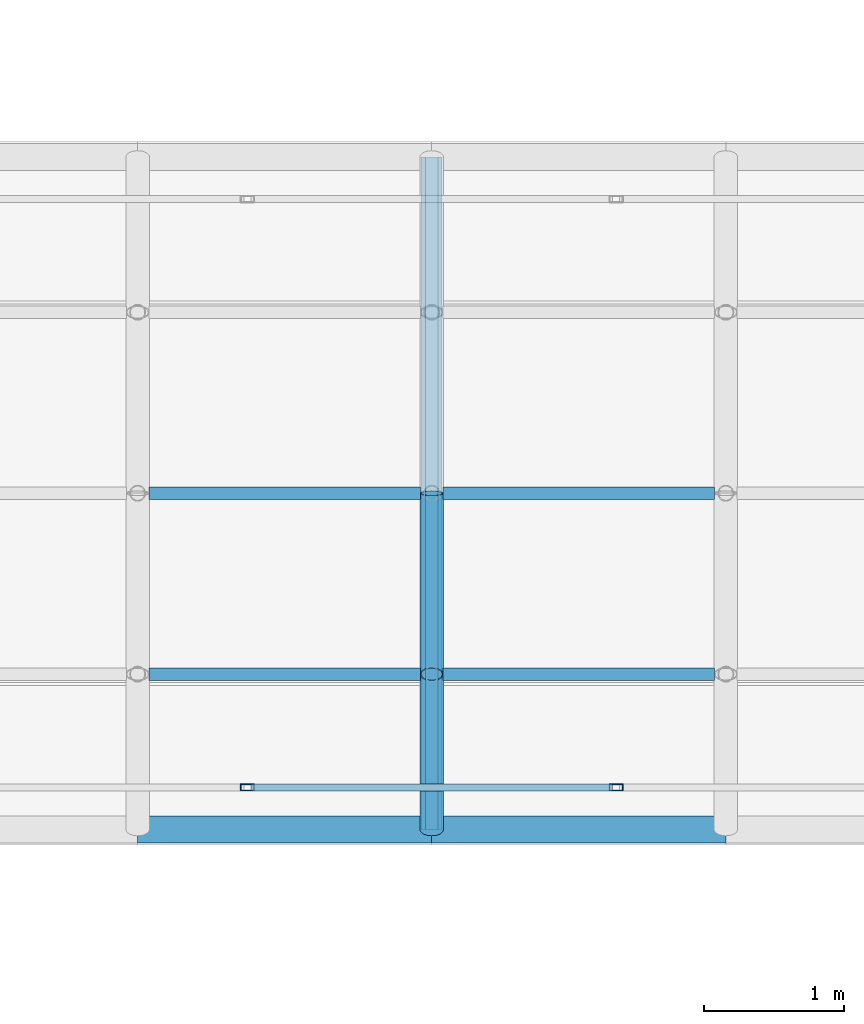
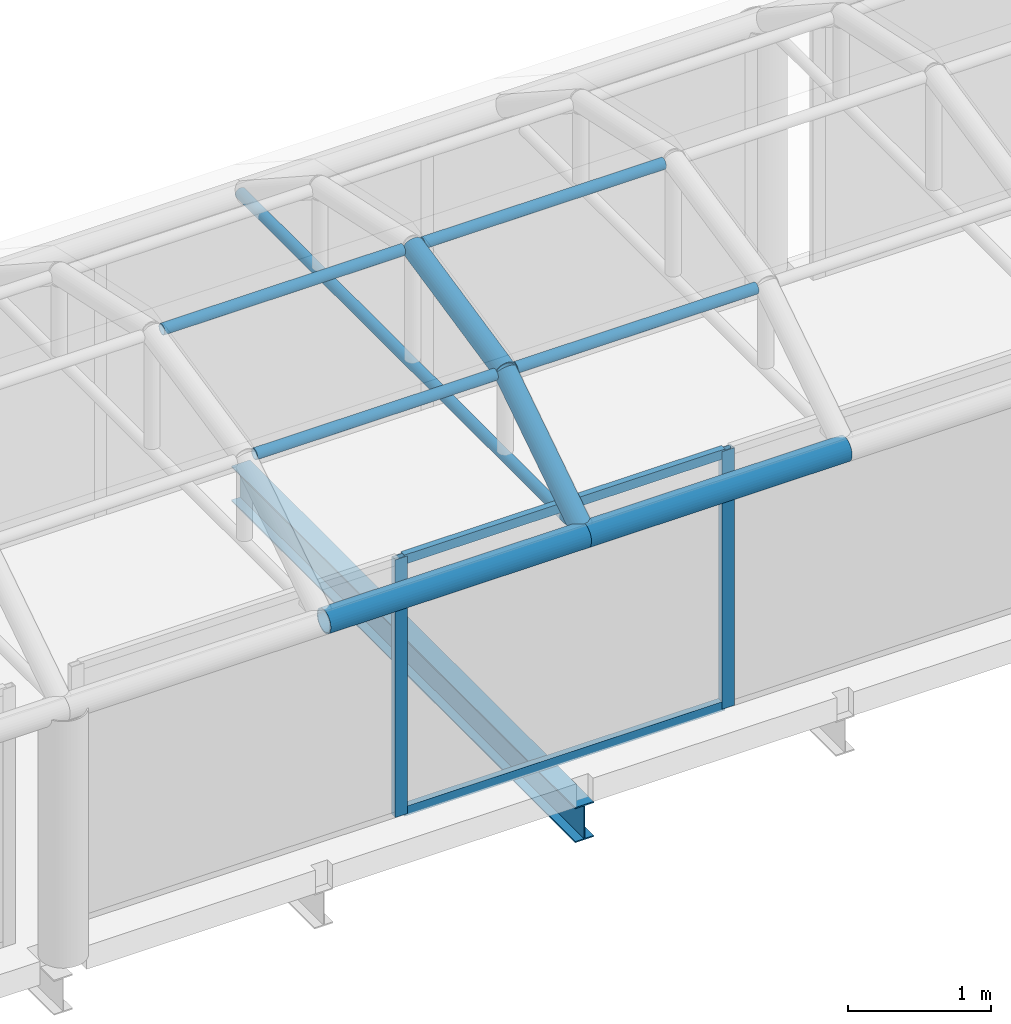
# One storey, part 35 of 167: 12 members, 2 beams, 1 element without a shape of its own.
"""IFC4 building model written with IfcOpenShell, lengths in metres."""

from ifc_helpers import new_model, si_unit, direction, frame, origin, origin_2d, place, context, subcontext, project, spatial, hollow_rectangle, hollow_circle, i_section, extrude, material, material_profile, profile_set, type_object, element, aggregate, save


model = new_model("IFC4")

# Units and contexts
model_context = context("Model", 3, precision=1e-05, world=origin(), true_north=direction((0.0, 1.0)))
body_context = subcontext(model_context, "Body", "Model", "MODEL_VIEW")
ifc_project = project(units=[si_unit("LENGTHUNIT", "METRE"), si_unit("AREAUNIT", "SQUARE_METRE"), si_unit("VOLUMEUNIT", "CUBIC_METRE"), si_unit("PLANEANGLEUNIT", "RADIAN"), si_unit("MASSUNIT", "GRAM", prefix="KILO")], contexts=[model_context])

# Site, building, storey
site_placement = place(None, origin())
site = spatial("IfcSite", under=ifc_project, at=site_placement, CompositionType="ELEMENT")
building_placement = place(site_placement, origin())
building = spatial("IfcBuilding", under=site, at=building_placement, Name="Catenary Quay Ferry Terminal", CompositionType="ELEMENT")
storey_placement = place(building_placement, frame((0.0, 0.0, 6.0)))
storey = spatial("IfcBuildingStorey", under=building, at=storey_placement, Name="L01", CompositionType="ELEMENT", Elevation=6.0)

# Beam
ifc_material_1 = material(Name="Steel S355", Category="steel")
ifc_material_profile_1 = material_profile(ifc_material_1, i_section(OverallWidth=0.14990234375, OverallDepth=0.300048828125, WebThickness=0.007080078125, FlangeThickness=0.0107421875, at=origin_2d()), Name="IPE 300")
ifc_profile_set_1 = profile_set([ifc_material_profile_1], Name="Steel S355")
beam_type_1 = type_object("IfcBeamType", Name="B2 IPE 300", PredefinedType="BEAM", material=ifc_profile_set_1)
beam_1_placement = place(storey_placement, frame((105.0, 73.199951171875, -0.35009765625), z_axis=(0.0, 1.0, 0.0), x_axis=(-1.0, 0.0, 0.0)))
element("IfcBeam", 1, at=beam_1_placement, inside=storey, type_object=beam_type_1, Name="Beam B2-006", PredefinedType="BEAM", context=body_context, shape_type="SweptSolid", body=[
    extrude(i_section(OverallWidth=0.14990234375, OverallDepth=0.300048828125, WebThickness=0.007080078125, FlangeThickness=0.0107421875, at=origin_2d()), origin(), (0.0, 0.0, 1.0), 4.800048828125),
])

# Curtain wall, members
ifc_material_2 = material(Name="Aluminium and glass", Category="aluminium")
curtain_wall_type = type_object("IfcCurtainWallType", Name="CWB", PredefinedType="NOTDEFINED", material=ifc_material_2)
curtain_wall_placement = place(storey_placement, origin())
curtain_wall = element("IfcCurtainWall", 2, at=curtain_wall_placement, inside=storey, type_object=curtain_wall_type, Name="BB1 curtain wall CW57", PredefinedType="NOTDEFINED")
ifc_material_3 = material(Name="Aluminium", Category="aluminium")
ifc_material_profile_2 = material_profile(ifc_material_3, hollow_rectangle(XDim=0.050048828125, YDim=0.10009765625, WallThickness=0.0048828125, at=origin_2d()), Name="MU1")
ifc_profile_set_2 = profile_set([ifc_material_profile_2], Name="Aluminium")
member_type_1 = type_object("IfcMemberType", Name="MU1", PredefinedType="MULLION", material=ifc_profile_set_2)
member_1_placement = place(storey_placement, frame((103.683349609375, 73.5, 0.0), z_axis=(0.0, 0.0, 1.0), x_axis=(0.0, 1.0, 0.0)))
member_1 = element("IfcMember", 3, at=member_1_placement, type_object=member_type_1, Name="CW57 mullion 2", PredefinedType="MULLION", context=body_context, shape_type="SweptSolid", body=[
    extrude(hollow_rectangle(XDim=0.050048828125, YDim=0.10009765625, WallThickness=0.0048828125, at=origin_2d()), origin(), (0.0, 0.0, 1.0), 2.195068359375),
])
member_2_placement = place(storey_placement, frame((106.316650390625, 73.5, 0.0), z_axis=(0.0, 0.0, 1.0), x_axis=(0.0, 1.0, 0.0)))
member_2 = element("IfcMember", 4, at=member_2_placement, type_object=member_type_1, Name="CW57 mullion 3", PredefinedType="MULLION", context=body_context, shape_type="SweptSolid", body=[
    extrude(hollow_rectangle(XDim=0.050048828125, YDim=0.10009765625, WallThickness=0.0048828125, at=origin_2d()), origin(), (0.0, 0.0, 1.0), 2.195068359375),
])

# Members
ifc_material_4 = material(Name="Steel S355", Category="steel")
ifc_material_profile_3 = material_profile(ifc_material_4, hollow_circle(Radius=0.04443359375, WallThickness=0.0048828125, at=origin_2d()), Name="CHS 88.9x5")
ifc_profile_set_3 = profile_set([ifc_material_profile_3], Name="Steel S355")
member_type_2 = type_object("IfcMemberType", Name="PU3 CHS 88.9x5", PredefinedType="PURLIN", material=ifc_profile_set_3)
for number, where, z_axis, x_axis, name in (
    (5, (102.97998046875, 74.30810546875, 2.821044921875), (1.0, 0.0, 0.0), (0.0, 1.0, 0.0), "Purlin PU-RB1-06-01"),
    (6, (102.97998046875, 75.60009765625, 3.10009765625), (1.0, 0.0, 0.0), (0.0, 1.0, 0.0), "Purlin PU-RB1-06-02"),
    (7, (105.080078125, 74.30810546875, 2.821044921875), (1.0, 0.0, 0.0), (0.0, 1.0, 0.0), "Purlin PU-RB1-07-01"),
    (8, (105.080078125, 75.60009765625, 3.10009765625), (1.0, 0.0, 0.0), (0.0, 1.0, 0.0), "Purlin PU-RB1-07-02"),
):
    element("IfcMember", number, at=place(storey_placement, frame(where, z_axis=z_axis, x_axis=x_axis)), inside=storey, type_object=member_type_2, Name=name, PredefinedType="PURLIN", context=body_context, shape_type="SweptSolid", body=[
        extrude(hollow_circle(Radius=0.04443359375, WallThickness=0.0048828125, at=origin_2d()), origin(), (0.0, 0.0, 1.0), 1.93994140625),
    ])

# Beam
ifc_material_5 = material(Name="Steel S355", Category="steel")
ifc_material_profile_4 = material_profile(ifc_material_5, hollow_circle(Radius=0.04443359375, WallThickness=0.0048828125, at=origin_2d()), Name="CHS 88.9x5")
ifc_profile_set_4 = profile_set([ifc_material_profile_4], Name="Steel S355")
beam_type_2 = type_object("IfcBeamType", Name="TB4 CHS 88.9x5", PredefinedType="BEAM", material=ifc_profile_set_4)
beam_2_placement = place(storey_placement, frame((105.0, 73.199951171875, 2.10009765625), z_axis=(0.0, 1.0, 0.0), x_axis=(-1.0, 0.0, 0.0)))
element("IfcBeam", 9, at=beam_2_placement, inside=storey, type_object=beam_type_2, Name="tie beam RB1-07", PredefinedType="BEAM", context=body_context, shape_type="SweptSolid", body=[
    extrude(hollow_circle(Radius=0.04443359375, WallThickness=0.0048828125, at=origin_2d()), origin(), (0.0, 0.0, 1.0), 4.800048828125),
])

# Members
ifc_material_6 = material(Name="Steel S355", Category="steel")
ifc_material_profile_5 = material_profile(ifc_material_6, hollow_circle(Radius=0.096923828125, WallThickness=0.010009765625, at=origin_2d()), Name="CHS 193.7x10")
ifc_profile_set_5 = profile_set([ifc_material_profile_5], Name="Steel S355")
member_type_3 = type_object("IfcMemberType", Name="TC2 CHS 193.7x10", PredefinedType="CHORD", material=ifc_profile_set_5)
for number, where, z_axis, x_axis, name in (
    (10, (102.89990234375, 73.199951171875, 2.10009765625), (1.0, 0.0, 0.0), (0.0, 1.0, 0.0), "Bridge top chord BB1S-TC06"),
    (11, (105.0, 73.199951171875, 2.10009765625), (1.0, 0.0, 0.0), (0.0, 1.0, 0.0), "Bridge top chord BB1S-TC07"),
):
    element("IfcMember", number, at=place(storey_placement, frame(where, z_axis=z_axis, x_axis=x_axis)), inside=storey, type_object=member_type_3, Name=name, PredefinedType="CHORD", context=body_context, shape_type="SweptSolid", body=[
        extrude(hollow_circle(Radius=0.096923828125, WallThickness=0.010009765625, at=origin_2d()), origin(), (0.0, 0.0, 1.0), 2.10009765625),
    ])

# Member
ifc_material_7 = material(Name="Aluminium", Category="aluminium")
ifc_material_profile_6 = material_profile(ifc_material_7, hollow_rectangle(XDim=0.050048828125, YDim=0.080078125, WallThickness=0.00390625, at=origin_2d()), Name="TR1")
ifc_profile_set_6 = profile_set([ifc_material_profile_6], Name="Aluminium")
member_type_4 = type_object("IfcMemberType", Name="TR1", PredefinedType="USERDEFINED", material=ifc_profile_set_6)
member_3_placement = place(storey_placement, frame((103.708251953125, 73.5, 0.02490234375), z_axis=(1.0, 0.0, 0.0), x_axis=(0.0, 1.0, 0.0)))
member_3 = element("IfcMember", 12, at=member_3_placement, type_object=member_type_4, Name="CW57 transom 2.1", ObjectType="TRANSOM", PredefinedType="USERDEFINED", context=body_context, shape_type="SweptSolid", body=[
    extrude(hollow_rectangle(XDim=0.050048828125, YDim=0.080078125, WallThickness=0.00390625, at=origin_2d()), origin(), (0.0, 0.0, 1.0), 2.58349609375),
])

member_4_placement = place(storey_placement, frame((103.708251953125, 73.5, 2.169921875), z_axis=(1.0, 0.0, 0.0), x_axis=(0.0, 1.0, 0.0)))
member_4 = element("IfcMember", 13, at=member_4_placement, type_object=member_type_4, Name="CW57 transom 2.2", ObjectType="TRANSOM", PredefinedType="USERDEFINED", context=body_context, shape_type="SweptSolid", body=[
    extrude(hollow_rectangle(XDim=0.050048828125, YDim=0.080078125, WallThickness=0.00390625, at=origin_2d()), origin(), (0.0, 0.0, 1.0), 2.58349609375),
])

aggregate(curtain_wall, [member_1, member_2, member_3, member_4])

# Members
ifc_material_8 = material(Name="Steel S355", Category="steel")
ifc_material_profile_7 = material_profile(ifc_material_8, hollow_circle(Radius=0.084228515625, WallThickness=0.008056640625, at=origin_2d()), Name="CHS 168.3x8")
ifc_profile_set_7 = profile_set([ifc_material_profile_7], Name="Steel S355")
member_type_5 = type_object("IfcMemberType", Name="VR4 CHS 168.3x8", PredefinedType="RAFTER", material=ifc_profile_set_7)
member_5_placement = place(storey_placement, frame((105.0, 73.199951171875, 2.10009765625), z_axis=(0.0, 0.838219928753, 0.545332330823), x_axis=(-1.0, 0.0, 0.0)))
element("IfcMember", 14, at=member_5_placement, inside=storey, type_object=member_type_5, Name="rib RB1-07-01", PredefinedType="RAFTER", context=body_context, shape_type="SweptSolid", body=[
    extrude(hollow_circle(Radius=0.084228515625, WallThickness=0.008056640625, at=origin_2d()), origin(), (0.0, 0.0, 1.0), 1.322021484375),
])
member_6_placement = place(storey_placement, frame((105.0, 74.30810546875, 2.821044921875), z_axis=(0.0, 0.977460543774, 0.211118178672), x_axis=(-1.0, 0.0, 0.0)))
element("IfcMember", 15, at=member_6_placement, inside=storey, type_object=member_type_5, Name="rib RB1-07-02", PredefinedType="RAFTER", context=body_context, shape_type="SweptSolid", body=[
    extrude(hollow_circle(Radius=0.084228515625, WallThickness=0.008056640625, at=origin_2d()), origin(), (0.0, 0.0, 1.0), 1.32177734375),
])

save(model, "model.ifc")
